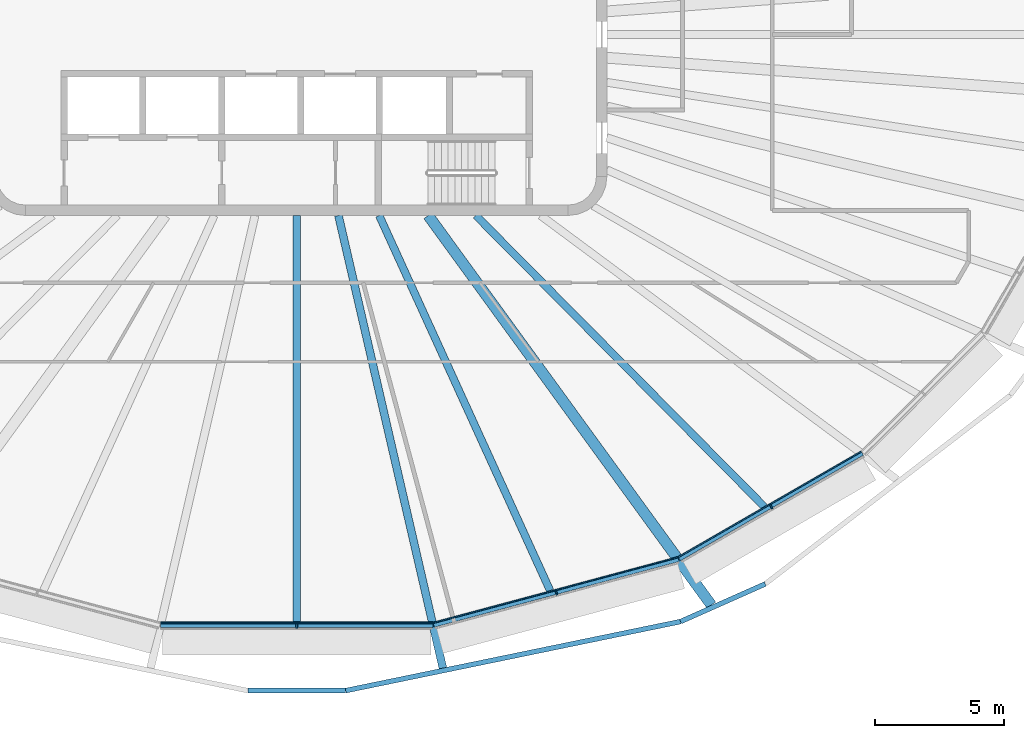
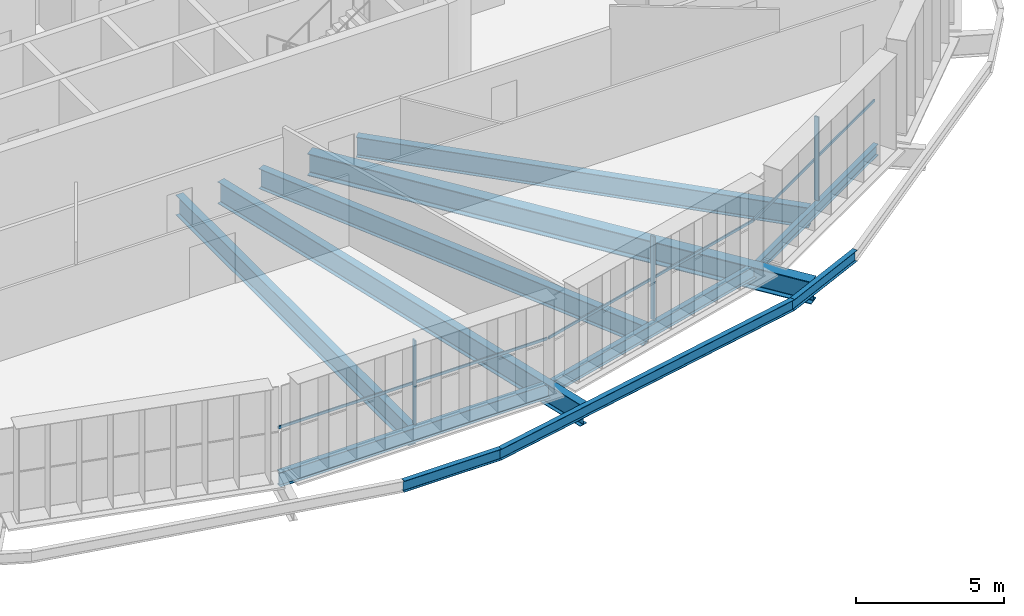
# One storey, part 3 of 20: 11 beams, 6 members, 3 elements without a shape of their own.
"""IFC4 building model written with IfcOpenShell, lengths in metres."""

from ifc_helpers import new_model, si_unit, direction, frame, origin, origin_2d, place, context, subcontext, project, spatial, rectangle, i_section, extrude, material, layer, layer_set, material_profile, profile_set, type_object, element, aggregate, save


model = new_model("IFC4")

# Units and contexts
model_context = context("Model", 3, precision=1e-05, world=origin(), true_north=direction((0.0, 1.0)))
body_context = subcontext(model_context, "Body", "Model", "MODEL_VIEW")
ifc_project = project(units=[si_unit("LENGTHUNIT", "METRE"), si_unit("AREAUNIT", "SQUARE_METRE"), si_unit("VOLUMEUNIT", "CUBIC_METRE"), si_unit("PLANEANGLEUNIT", "RADIAN"), si_unit("MASSUNIT", "GRAM", prefix="KILO")], contexts=[model_context])

# Site, building, storey
site_placement = place(None, origin())
site = spatial("IfcSite", under=ifc_project, at=site_placement, CompositionType="ELEMENT")
building_placement = place(site_placement, origin())
building = spatial("IfcBuilding", under=site, at=building_placement, Name="Sahrelin Media Tower", CompositionType="ELEMENT")
storey_placement = place(building_placement, frame((0.0, 0.0, 213.60009765625)))
storey = spatial("IfcBuildingStorey", under=building, at=storey_placement, Name="L45", CompositionType="ELEMENT", Elevation=213.60009765625)

# Beams
ifc_material_1 = material(Name="Steel S355", Category="steel")
ifc_material_profile_1 = material_profile(ifc_material_1, i_section(OverallWidth=0.1904296875, OverallDepth=0.45703125, WebThickness=0.009033203125, FlangeThickness=0.014404296875, FilletRadius=0.01025390625, at=origin_2d()), Name="UB 457x191x74")
ifc_profile_set_1 = profile_set([ifc_material_profile_1], Name="Steel S355")
beam_type_1 = type_object("IfcBeamType", Name="Edge beam EB5", PredefinedType="BEAM", material=ifc_profile_set_1)
beam_1_placement = place(storey_placement, frame((21.87841796875, -16.19091796875, -0.378662109375), z_axis=(-0.866027444383, -0.499996465562, 0.0), x_axis=(0.499996465562, -0.866027444383, 0.0)))
element("IfcBeam", 1, at=beam_1_placement, inside=storey, type_object=beam_type_1, Name="Edge beam L45-05", PredefinedType="BEAM", context=body_context, shape_type="SweptSolid", body=[
    extrude(i_section(OverallWidth=0.1904296875, OverallDepth=0.45703125, WebThickness=0.009033203125, FlangeThickness=0.014404296875, FilletRadius=0.01025390625, at=origin_2d()), origin(), (0.0, 0.0, 1.0), 8.17529296875),
])
ifc_material_profile_2 = material_profile(ifc_material_1, i_section(OverallWidth=0.208740234375, OverallDepth=0.5283203125, WebThickness=0.009521484375, FlangeThickness=0.01318359375, FilletRadius=0.0126953125, at=origin_2d()), Name="UB 533x210x82")
ifc_profile_set_2 = profile_set([ifc_material_profile_2], Name="Steel S355")
beam_type_2 = type_object("IfcBeamType", Name="Edge beam EB6", PredefinedType="BEAM", material=ifc_profile_set_2)
beam_2_placement = place(storey_placement, frame((14.771728515625, -20.28955078125, -0.414306640625), z_axis=(-0.965926499263, -0.258816533518, 0.0), x_axis=(0.258816533518, -0.965926499263, 0.0)))
element("IfcBeam", 2, at=beam_2_placement, inside=storey, type_object=beam_type_2, Name="Edge beam L45-06", PredefinedType="BEAM", context=body_context, shape_type="SweptSolid", body=[
    extrude(i_section(OverallWidth=0.208740234375, OverallDepth=0.5283203125, WebThickness=0.009521484375, FlangeThickness=0.01318359375, FilletRadius=0.0126953125, at=origin_2d()), origin(), (0.0, 0.0, 1.0), 9.809326171875),
])
ifc_material_profile_3 = material_profile(ifc_material_1, i_section(OverallWidth=0.2275390625, OverallDepth=0.6025390625, WebThickness=0.010498046875, FlangeThickness=0.014892578125, FilletRadius=0.0126953125, at=origin_2d()), Name="UB 610x229x101")
ifc_profile_set_3 = profile_set([ifc_material_profile_3], Name="Steel S355")
beam_type_3 = type_object("IfcBeamType", Name="Edge beam EB7", PredefinedType="BEAM", material=ifc_profile_set_3)
beam_3_placement = place(storey_placement, frame((5.26806640625, -22.832275390625, -0.451416015625), z_axis=(-1.0, 0.0, 0.0), x_axis=(0.0, -1.0, 0.0)))
element("IfcBeam", 3, at=beam_3_placement, inside=storey, type_object=beam_type_3, Name="Edge beam L45-07", PredefinedType="BEAM", context=body_context, shape_type="SweptSolid", body=[
    extrude(i_section(OverallWidth=0.2275390625, OverallDepth=0.6025390625, WebThickness=0.010498046875, FlangeThickness=0.014892578125, FilletRadius=0.0126953125, at=origin_2d()), origin(), (0.0, 0.0, 1.0), 10.5361328125),
])

# Curtain wall, member
ifc_material_2 = material(Name="Champagne anodised aluminium 6063-T6", Category="aluminium")
ifc_layer = layer(ifc_material_2, 0.14990234375)
ifc_layer_set = layer_set([ifc_layer], Name="Tower ribbon curtain wall")
curtain_wall_type = type_object("IfcCurtainWallType", Name="Tower ribbon curtain wall", PredefinedType="NOTDEFINED", material=ifc_layer_set)
curtain_wall_1_placement = place(storey_placement, frame((0.0, -22.982177734375, 0.0), z_axis=(0.0, 0.0, 1.0), x_axis=(1.0, 0.0, 0.0)))
curtain_wall_1 = element("IfcCurtainWall", 4, at=curtain_wall_1_placement, inside=storey, type_object=curtain_wall_type, Name="L45:CW:L45-18", PredefinedType="NOTDEFINED")
ifc_material_profile_4 = material_profile(ifc_material_2, rectangle(XDim=0.06005859375, YDim=0.175048828125, at=origin_2d()), Name="Mullion 60x175")
ifc_profile_set_4 = profile_set([ifc_material_profile_4], Name="Champagne anodised aluminium 6063-T6")
member_type_1 = type_object("IfcMemberType", Name="Mullion 60x175 CW1B", PredefinedType="MULLION", material=ifc_profile_set_4)
member_1_placement = place(storey_placement, frame((0.0, -22.874755859375, 0.0), z_axis=(0.0, 0.0, 1.0), x_axis=(1.0, 0.0, 0.0)))
member_1 = element("IfcMember", 5, at=member_1_placement, type_object=member_type_1, Name="L45:CWM:L45-18", PredefinedType="MULLION", context=body_context, shape_type="SweptSolid", body=[
    extrude(rectangle(XDim=0.06005859375, YDim=0.175048828125, at=origin_2d()), origin(), (0.0, 0.0, 1.0), 3.448486328125),
])

curtain_wall_2_placement = place(storey_placement, frame((10.072998046875, -21.703857421875, 0.0), z_axis=(0.0, 0.0, 1.0), x_axis=(1.0, 0.0, 0.0)))
curtain_wall_2 = element("IfcCurtainWall", 6, at=curtain_wall_2_placement, inside=storey, type_object=curtain_wall_type, Name="L45:CW:L45-19", PredefinedType="NOTDEFINED")
member_2_placement = place(storey_placement, frame((10.045166015625, -21.60009765625, 0.0), z_axis=(0.0, 0.0, 1.0), x_axis=(0.965925374563, 0.258820730961, 0.0)))
member_2 = element("IfcMember", 7, at=member_2_placement, type_object=member_type_1, Name="L45:CWM:L45-19", PredefinedType="MULLION", context=body_context, shape_type="SweptSolid", body=[
    extrude(rectangle(XDim=0.06005859375, YDim=0.175048828125, at=origin_2d()), origin(), (0.0, 0.0, 1.0), 3.448486328125),
])

curtain_wall_3_placement = place(storey_placement, frame((18.413330078125, -18.36474609375, 0.0), z_axis=(0.0, 0.0, 1.0), x_axis=(1.0, 0.0, 0.0)))
curtain_wall_3 = element("IfcCurtainWall", 8, at=curtain_wall_3_placement, inside=storey, type_object=curtain_wall_type, Name="L45:CW:L45-20", PredefinedType="NOTDEFINED")
member_3_placement = place(storey_placement, frame((18.359619140625, -18.271484375, 0.0), z_axis=(0.0, 0.0, 1.0), x_axis=(0.866024531118, 0.500001511499, 0.0)))
member_3 = element("IfcMember", 9, at=member_3_placement, type_object=member_type_1, Name="L45:CWM:L45-20", PredefinedType="MULLION", context=body_context, shape_type="SweptSolid", body=[
    extrude(rectangle(XDim=0.06005859375, YDim=0.175048828125, at=origin_2d()), origin(), (0.0, 0.0, 1.0), 3.448486328125),
])

# Beams
ifc_material_profile_5 = material_profile(ifc_material_1, i_section(OverallWidth=0.30322265625, OverallDepth=0.903076171875, WebThickness=0.01513671875, FlangeThickness=0.020263671875, FilletRadius=0.01904296875, at=origin_2d()), Name="UB 914x305x201")
ifc_profile_set_5 = profile_set([ifc_material_profile_5], Name="Steel S355")
beam_type_4 = type_object("IfcBeamType", Name="Radial primary beam PB11", PredefinedType="BEAM", material=ifc_profile_set_5)
beam_4_placement = place(storey_placement, frame((1.614990234375, -7.0, -0.6015625), z_axis=(0.22481485709, -0.974401498373, 0.0), x_axis=(0.974401498373, 0.22481485709, 0.0)))
element("IfcBeam", 10, at=beam_4_placement, inside=storey, type_object=beam_type_4, Name="Radial beam L45-19", PredefinedType="BEAM", context=body_context, shape_type="SweptSolid", body=[
    extrude(i_section(OverallWidth=0.30322265625, OverallDepth=0.903076171875, WebThickness=0.01513671875, FlangeThickness=0.020263671875, FilletRadius=0.01904296875, at=origin_2d()), origin(), (0.0, 0.0, 1.0), 17.970458984375),
])
ifc_material_profile_6 = material_profile(ifc_material_1, i_section(OverallWidth=0.41845703125, OverallDepth=0.911865234375, WebThickness=0.019287109375, FlangeThickness=0.031982421875, FilletRadius=0.024169921875, at=origin_2d()), Name="UB 914x419x343")
ifc_profile_set_6 = profile_set([ifc_material_profile_6], Name="Steel S355")
beam_type_5 = type_object("IfcBeamType", Name="Radial primary beam PB12", PredefinedType="BEAM", material=ifc_profile_set_6)
beam_5_placement = place(storey_placement, frame((5.0869140625, -7.0, -0.60595703125), z_axis=(0.587886584188, -0.808943362747, 0.0), x_axis=(0.808943362747, 0.587886584188, 0.0)))
element("IfcBeam", 11, at=beam_5_placement, inside=storey, type_object=beam_type_5, Name="Radial beam L45-20", PredefinedType="BEAM", context=body_context, shape_type="SweptSolid", body=[
    extrude(i_section(OverallWidth=0.41845703125, OverallDepth=0.911865234375, WebThickness=0.019287109375, FlangeThickness=0.031982421875, FilletRadius=0.024169921875, at=origin_2d()), origin(), (0.0, 0.0, 1.0), 18.63720703125),
])
ifc_material_profile_7 = material_profile(ifc_material_1, i_section(OverallWidth=0.291748046875, OverallDepth=0.8349609375, WebThickness=0.013916015625, FlangeThickness=0.018798828125, FilletRadius=0.017822265625, at=origin_2d()), Name="UB 838x292x176")
ifc_profile_set_7 = profile_set([ifc_material_profile_7], Name="Steel S355")
beam_type_6 = type_object("IfcBeamType", Name="Radial secondary beam SB10", PredefinedType="BEAM", material=ifc_profile_set_7)
beam_6_placement = place(storey_placement, frame((0.0, -7.0, -0.567626953125), z_axis=(0.0, -1.0, 0.0), x_axis=(1.0, 0.0, 0.0)))
element("IfcBeam", 12, at=beam_6_placement, inside=storey, type_object=beam_type_6, Name="Secondary beam L45-18", PredefinedType="BEAM", context=body_context, shape_type="SweptSolid", body=[
    extrude(i_section(OverallWidth=0.291748046875, OverallDepth=0.8349609375, WebThickness=0.013916015625, FlangeThickness=0.018798828125, FilletRadius=0.017822265625, at=origin_2d()), origin(), (0.0, 0.0, 1.0), 15.718505859375),
])
beam_7_placement = place(storey_placement, frame((3.18994140625, -7.0, -0.567626953125), z_axis=(0.414690814889, -0.90996237727, 0.0), x_axis=(0.90996237727, 0.414690814889, 0.0)))
element("IfcBeam", 13, at=beam_7_placement, inside=storey, type_object=beam_type_6, Name="Secondary beam L45-19", PredefinedType="BEAM", context=body_context, shape_type="SweptSolid", body=[
    extrude(i_section(OverallWidth=0.291748046875, OverallDepth=0.8349609375, WebThickness=0.013916015625, FlangeThickness=0.018798828125, FilletRadius=0.017822265625, at=origin_2d()), origin(), (0.0, 0.0, 1.0), 15.94873046875),
])
beam_8_placement = place(storey_placement, frame((6.932373046875, -7.0, -0.567626953125), z_axis=(0.703673029626, -0.710523938637, 0.0), x_axis=(0.710523938637, 0.703673029626, 0.0)))
element("IfcBeam", 14, at=beam_8_placement, inside=storey, type_object=beam_type_6, Name="Secondary beam L45-20", PredefinedType="BEAM", context=body_context, shape_type="SweptSolid", body=[
    extrude(i_section(OverallWidth=0.291748046875, OverallDepth=0.8349609375, WebThickness=0.013916015625, FlangeThickness=0.018798828125, FilletRadius=0.017822265625, at=origin_2d()), origin(), (0.0, 0.0, 1.0), 15.858154296875),
])
ifc_material_profile_8 = material_profile(ifc_material_1, i_section(OverallWidth=0.1904296875, OverallDepth=0.45703125, WebThickness=0.009033203125, FlangeThickness=0.014404296875, FilletRadius=0.01025390625, at=origin_2d()), Name="UB 457x191x74")
ifc_profile_set_8 = profile_set([ifc_material_profile_8], Name="Steel S355")
beam_type_7 = type_object("IfcBeamType", Name="Tie chord TC5", PredefinedType="BEAM", material=ifc_profile_set_8)
beam_9_placement = place(storey_placement, frame((-1.89404296875, -25.38330078125, -0.378662109375), z_axis=(1.0, 0.0, 0.0), x_axis=(0.0, 1.0, 0.0)))
element("IfcBeam", 15, at=beam_9_placement, inside=storey, type_object=beam_type_7, Name="Tie chord L45-18", PredefinedType="BEAM", context=body_context, shape_type="SweptSolid", body=[
    extrude(i_section(OverallWidth=0.1904296875, OverallDepth=0.45703125, WebThickness=0.009033203125, FlangeThickness=0.014404296875, FilletRadius=0.01025390625, at=origin_2d()), origin(), (0.0, 0.0, 1.0), 3.7880859375),
])
beam_10_placement = place(storey_placement, frame((1.89404296875, -25.38330078125, -0.378662109375), z_axis=(0.979386755143, 0.201994019341, 0.0), x_axis=(-0.201994019341, 0.979386755143, 0.0)))
element("IfcBeam", 16, at=beam_10_placement, inside=storey, type_object=beam_type_7, Name="Tie chord L45-19", PredefinedType="BEAM", context=body_context, shape_type="SweptSolid", body=[
    extrude(i_section(OverallWidth=0.1904296875, OverallDepth=0.45703125, WebThickness=0.009033203125, FlangeThickness=0.014404296875, FilletRadius=0.01025390625, at=origin_2d()), origin(), (0.0, 0.0, 1.0), 13.2275390625),
])
beam_11_placement = place(storey_placement, frame((14.848876953125, -22.71142578125, -0.378662109375), z_axis=(0.913836787305, 0.406081674258, 0.0), x_axis=(-0.406081674258, 0.913836787305, 0.0)))
element("IfcBeam", 17, at=beam_11_placement, inside=storey, type_object=beam_type_7, Name="Tie chord L45-20", PredefinedType="BEAM", context=body_context, shape_type="SweptSolid", body=[
    extrude(i_section(OverallWidth=0.1904296875, OverallDepth=0.45703125, WebThickness=0.009033203125, FlangeThickness=0.014404296875, FilletRadius=0.01025390625, at=origin_2d()), origin(), (0.0, 0.0, 1.0), 3.58984375),
])

# Member
ifc_material_profile_9 = material_profile(ifc_material_2, rectangle(XDim=0.050048828125, YDim=0.110107421875, at=origin_2d()), Name="Transom 50x110")
ifc_profile_set_9 = profile_set([ifc_material_profile_9], Name="Champagne anodised aluminium 6063-T6")
member_type_2 = type_object("IfcMemberType", Name="Transom 50x110 CW1B", PredefinedType="USERDEFINED", material=ifc_profile_set_9)
member_4_placement = place(storey_placement, frame((-5.25244140625, -22.76220703125, 1.599853515625), z_axis=(1.0, 0.0, 0.0), x_axis=(0.0, 1.0, 0.0)))
member_4 = element("IfcMember", 18, at=member_4_placement, type_object=member_type_2, Name="L45:CWT:L45-18", ObjectType="TRANSOM", PredefinedType="USERDEFINED", context=body_context, shape_type="SweptSolid", body=[
    extrude(rectangle(XDim=0.050048828125, YDim=0.110107421875, at=origin_2d()), origin(), (0.0, 0.0, 1.0), 10.5048828125),
])

aggregate(curtain_wall_1, [member_1, member_4])

member_5_placement = place(storey_placement, frame((5.293701171875, -22.7568359375, 1.599853515625), z_axis=(0.965925092581, 0.258821783324, 0.0), x_axis=(-0.258821783324, 0.965925092581, 0.0)))
member_5 = element("IfcMember", 19, at=member_5_placement, type_object=member_type_2, Name="L45:CWT:L45-19", ObjectType="TRANSOM", PredefinedType="USERDEFINED", context=body_context, shape_type="SweptSolid", body=[
    extrude(rectangle(XDim=0.050048828125, YDim=0.110107421875, at=origin_2d()), origin(), (0.0, 0.0, 1.0), 9.778076171875),
])

aggregate(curtain_wall_2, [member_2, member_5])

member_6_placement = place(storey_placement, frame((14.777099609375, -20.210205078125, 1.599853515625), z_axis=(0.866011347513, 0.500024345386, 0.0), x_axis=(-0.500024345386, 0.866011347513, 0.0)))
member_6 = element("IfcMember", 20, at=member_6_placement, type_object=member_type_2, Name="L45:CWT:L45-20", ObjectType="TRANSOM", PredefinedType="USERDEFINED", context=body_context, shape_type="SweptSolid", body=[
    extrude(rectangle(XDim=0.050048828125, YDim=0.110107421875, at=origin_2d()), origin(), (0.0, 0.0, 1.0), 8.1435546875),
])

aggregate(curtain_wall_3, [member_3, member_6])

save(model, "model.ifc")
